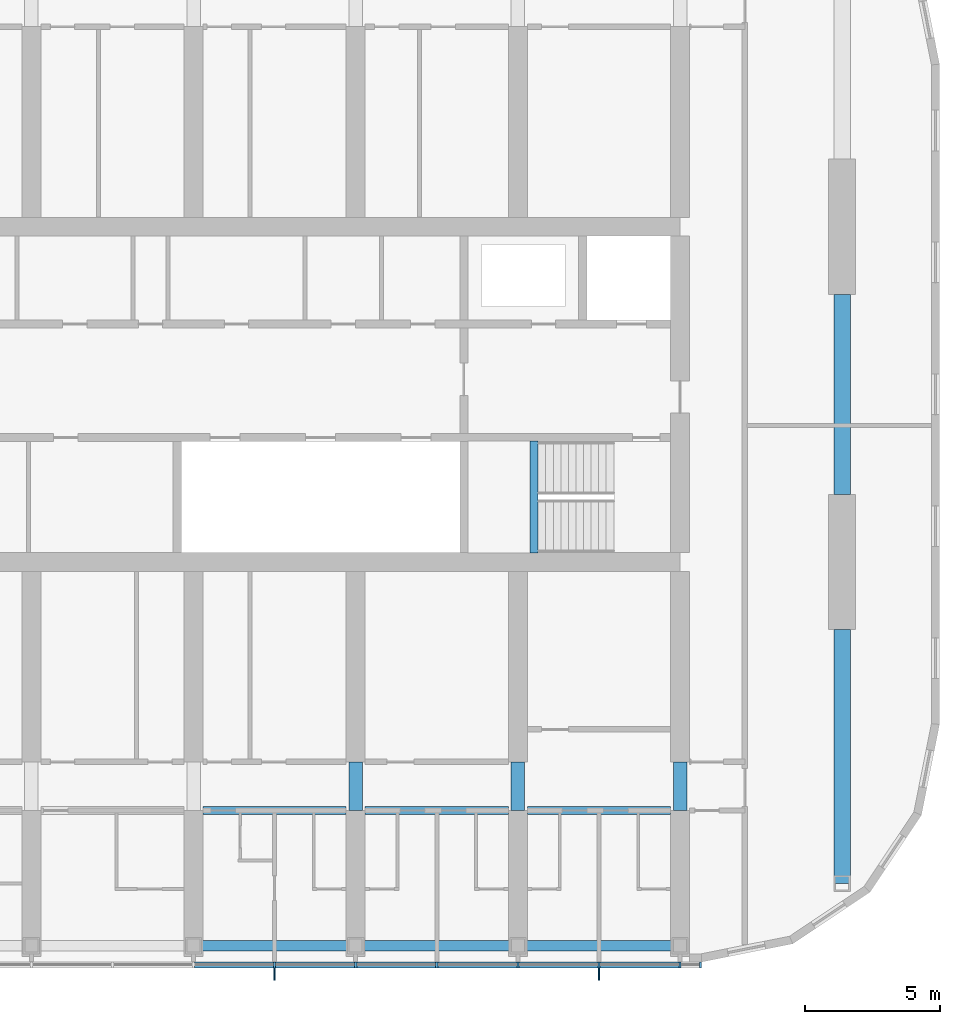
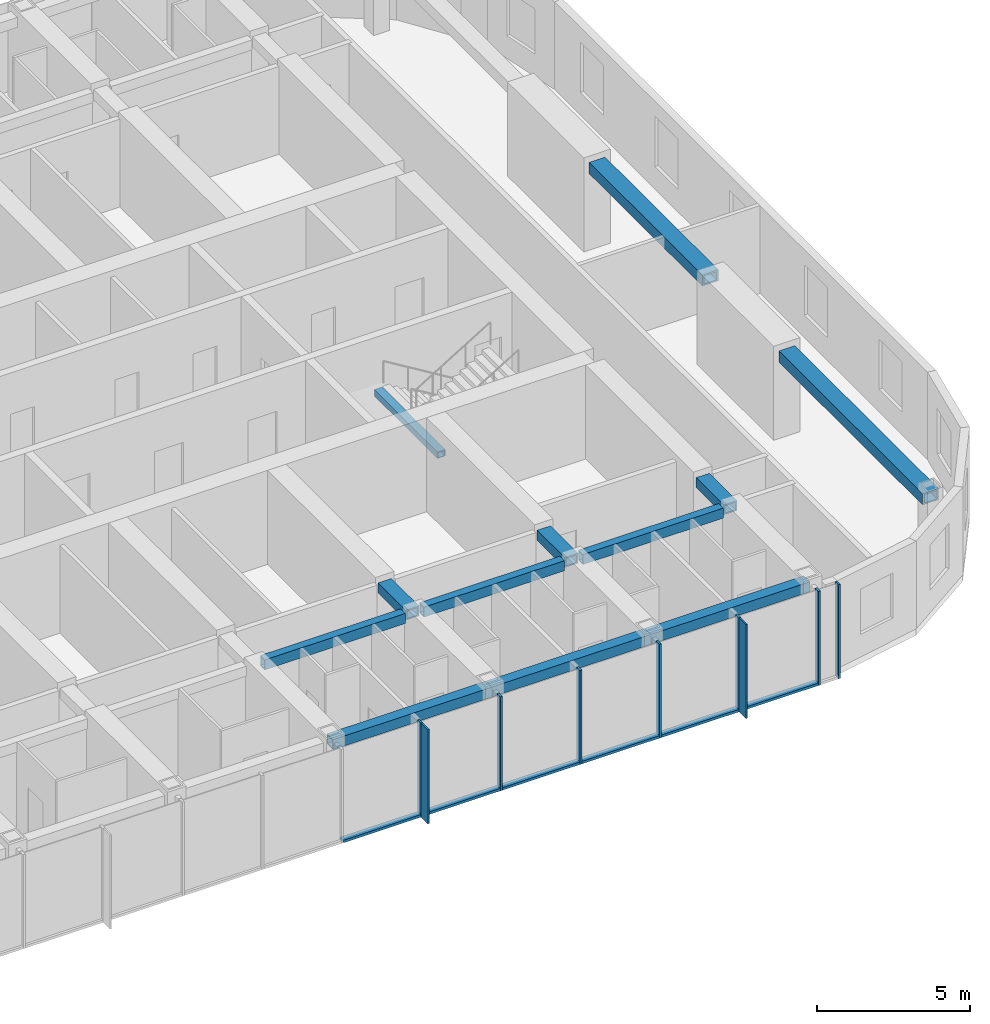
# One storey, part 3 of 24: 15 members, 12 beams, 1 element without a shape of its own.
"""IFC4 building model written with IfcOpenShell, lengths in metres."""

from ifc_helpers import new_model, si_unit, direction, frame, origin, origin_2d, place, context, subcontext, project, spatial, rectangle, hollow_rectangle, extrude, material, material_profile, profile_set, type_object, element, aggregate, save


model = new_model("IFC4")

# Units and contexts
model_context = context("Model", 3, precision=1e-05, world=origin(), true_north=direction((0.0, 1.0)))
body_context = subcontext(model_context, "Body", "Model", "MODEL_VIEW")
ifc_project = project(units=[si_unit("LENGTHUNIT", "METRE"), si_unit("AREAUNIT", "SQUARE_METRE"), si_unit("VOLUMEUNIT", "CUBIC_METRE"), si_unit("PLANEANGLEUNIT", "RADIAN"), si_unit("MASSUNIT", "GRAM", prefix="KILO")], contexts=[model_context])

# Site, building, storey
site_placement = place(None, origin())
site = spatial("IfcSite", under=ifc_project, at=site_placement, CompositionType="ELEMENT")
building_placement = place(site_placement, origin())
building = spatial("IfcBuilding", under=site, at=building_placement, Name="Orbita Commons", CompositionType="ELEMENT")
storey_placement = place(building_placement, frame((0.0, 0.0, 239.050048828125)))
storey = spatial("IfcBuildingStorey", under=building, at=storey_placement, Name="L59", CompositionType="ELEMENT", Elevation=239.050048828125)

# Curtain wall, members
ifc_material_1 = material(Name="Anodised aluminium frame, pale silver", Category="aluminium")
curtain_wall_type = type_object("IfcCurtainWallType", Name="Unitised curtain wall CW-U, full-height vision", PredefinedType="NOTDEFINED", material=ifc_material_1)
curtain_wall_placement = place(storey_placement, origin())
curtain_wall = element("IfcCurtainWall", 1, at=curtain_wall_placement, inside=storey, type_object=curtain_wall_type, Name="Curtain wall south L59", PredefinedType="NOTDEFINED")
ifc_material_2 = material(Name="Anodised aluminium, pale silver", Category="aluminium")
ifc_material_profile_1 = material_profile(ifc_material_2, rectangle(XDim=0.080078125, YDim=0.219970703125, at=origin_2d()), Name="AL 80x220")
ifc_profile_set_1 = profile_set([ifc_material_profile_1], Name="Anodised aluminium, pale silver")
member_type_1 = type_object("IfcMemberType", Name="Curtain wall mullion 80x220", PredefinedType="MULLION", material=ifc_profile_set_1)
member_1_placement = place(storey_placement, frame((51.0, 10.889892578125, -0.25), z_axis=(0.0, 0.0, 1.0), x_axis=(1.0, 0.0, 0.0)))
member_1 = element("IfcMember", 2, at=member_1_placement, type_object=member_type_1, Name="Mullion 13 CW-L59-S", PredefinedType="MULLION", context=body_context, shape_type="SweptSolid", body=[
    extrude(rectangle(XDim=0.080078125, YDim=0.219970703125, at=origin_2d()), origin(), (0.0, 0.0, 1.0), 3.75),
])
member_2_placement = place(storey_placement, frame((54.0, 10.889892578125, -0.25), z_axis=(0.0, 0.0, 1.0), x_axis=(1.0, 0.0, 0.0)))
member_2 = element("IfcMember", 3, at=member_2_placement, type_object=member_type_1, Name="Mullion 14 CW-L59-S", PredefinedType="MULLION", context=body_context, shape_type="SweptSolid", body=[
    extrude(rectangle(XDim=0.080078125, YDim=0.219970703125, at=origin_2d()), origin(), (0.0, 0.0, 1.0), 3.75),
])
member_3_placement = place(storey_placement, frame((57.0, 10.889892578125, -0.25), z_axis=(0.0, 0.0, 1.0), x_axis=(1.0, 0.0, 0.0)))
member_3 = element("IfcMember", 4, at=member_3_placement, type_object=member_type_1, Name="Mullion 15 CW-L59-S", PredefinedType="MULLION", context=body_context, shape_type="SweptSolid", body=[
    extrude(rectangle(XDim=0.080078125, YDim=0.219970703125, at=origin_2d()), origin(), (0.0, 0.0, 1.0), 3.75),
])
member_4_placement = place(storey_placement, frame((60.0, 10.889892578125, -0.25), z_axis=(0.0, 0.0, 1.0), x_axis=(1.0, 0.0, 0.0)))
member_4 = element("IfcMember", 5, at=member_4_placement, type_object=member_type_1, Name="Mullion 16 CW-L59-S", PredefinedType="MULLION", context=body_context, shape_type="SweptSolid", body=[
    extrude(rectangle(XDim=0.080078125, YDim=0.219970703125, at=origin_2d()), origin(), (0.0, 0.0, 1.0), 3.75),
])
member_5_placement = place(storey_placement, frame((63.0, 10.889892578125, -0.25), z_axis=(0.0, 0.0, 1.0), x_axis=(1.0, 0.0, 0.0)))
member_5 = element("IfcMember", 6, at=member_5_placement, type_object=member_type_1, Name="Mullion 17 CW-L59-S", PredefinedType="MULLION", context=body_context, shape_type="SweptSolid", body=[
    extrude(rectangle(XDim=0.080078125, YDim=0.219970703125, at=origin_2d()), origin(), (0.0, 0.0, 1.0), 3.75),
])
member_6_placement = place(storey_placement, frame((66.0, 10.889892578125, -0.25), z_axis=(0.0, 0.0, 1.0), x_axis=(1.0, 0.0, 0.0)))
member_6 = element("IfcMember", 7, at=member_6_placement, type_object=member_type_1, Name="Mullion 18 CW-L59-S", PredefinedType="MULLION", context=body_context, shape_type="SweptSolid", body=[
    extrude(rectangle(XDim=0.080078125, YDim=0.219970703125, at=origin_2d()), origin(), (0.0, 0.0, 1.0), 3.75),
])
member_7_placement = place(storey_placement, frame((66.760009765625, 10.889892578125, -0.25), z_axis=(0.0, 0.0, 1.0), x_axis=(1.0, 0.0, 0.0)))
member_7 = element("IfcMember", 8, at=member_7_placement, type_object=member_type_1, Name="Mullion 19 CW-L59-S", PredefinedType="MULLION", context=body_context, shape_type="SweptSolid", body=[
    extrude(rectangle(XDim=0.080078125, YDim=0.219970703125, at=origin_2d()), origin(), (0.0, 0.0, 1.0), 3.75),
])
ifc_material_3 = material(Name="Anodised aluminium, pale silver", Category="aluminium")
ifc_material_profile_2 = material_profile(ifc_material_3, rectangle(XDim=0.219970703125, YDim=0.10009765625, at=origin_2d()), Name="AL 220x100")
ifc_profile_set_2 = profile_set([ifc_material_profile_2], Name="Anodised aluminium, pale silver")
member_type_2 = type_object("IfcMemberType", Name="Curtain wall stack transom 220x100", PredefinedType="USERDEFINED", material=ifc_profile_set_2)
member_8_placement = place(storey_placement, frame((48.0400390625, 10.889892578125, -0.199951171875), z_axis=(1.0, 0.0, 0.0), x_axis=(0.0, 1.0, 0.0)))
member_8 = element("IfcMember", 9, at=member_8_placement, type_object=member_type_2, Name="Transom 12.1 CW-L59-S", ObjectType="TRANSOM", PredefinedType="USERDEFINED", context=body_context, shape_type="SweptSolid", body=[
    extrude(rectangle(XDim=0.219970703125, YDim=0.10009765625, at=origin_2d()), origin(), (0.0, 0.0, 1.0), 2.919921875),
])
member_9_placement = place(storey_placement, frame((51.0400390625, 10.889892578125, -0.199951171875), z_axis=(1.0, 0.0, 0.0), x_axis=(0.0, 1.0, 0.0)))
member_9 = element("IfcMember", 10, at=member_9_placement, type_object=member_type_2, Name="Transom 13.1 CW-L59-S", ObjectType="TRANSOM", PredefinedType="USERDEFINED", context=body_context, shape_type="SweptSolid", body=[
    extrude(rectangle(XDim=0.219970703125, YDim=0.10009765625, at=origin_2d()), origin(), (0.0, 0.0, 1.0), 2.919921875),
])
member_10_placement = place(storey_placement, frame((54.0400390625, 10.889892578125, -0.199951171875), z_axis=(1.0, 0.0, 0.0), x_axis=(0.0, 1.0, 0.0)))
member_10 = element("IfcMember", 11, at=member_10_placement, type_object=member_type_2, Name="Transom 14.1 CW-L59-S", ObjectType="TRANSOM", PredefinedType="USERDEFINED", context=body_context, shape_type="SweptSolid", body=[
    extrude(rectangle(XDim=0.219970703125, YDim=0.10009765625, at=origin_2d()), origin(), (0.0, 0.0, 1.0), 2.919921875),
])
member_11_placement = place(storey_placement, frame((57.0400390625, 10.889892578125, -0.199951171875), z_axis=(1.0, 0.0, 0.0), x_axis=(0.0, 1.0, 0.0)))
member_11 = element("IfcMember", 12, at=member_11_placement, type_object=member_type_2, Name="Transom 15.1 CW-L59-S", ObjectType="TRANSOM", PredefinedType="USERDEFINED", context=body_context, shape_type="SweptSolid", body=[
    extrude(rectangle(XDim=0.219970703125, YDim=0.10009765625, at=origin_2d()), origin(), (0.0, 0.0, 1.0), 2.919921875),
])
member_12_placement = place(storey_placement, frame((60.0400390625, 10.889892578125, -0.199951171875), z_axis=(1.0, 0.0, 0.0), x_axis=(0.0, 1.0, 0.0)))
member_12 = element("IfcMember", 13, at=member_12_placement, type_object=member_type_2, Name="Transom 16.1 CW-L59-S", ObjectType="TRANSOM", PredefinedType="USERDEFINED", context=body_context, shape_type="SweptSolid", body=[
    extrude(rectangle(XDim=0.219970703125, YDim=0.10009765625, at=origin_2d()), origin(), (0.0, 0.0, 1.0), 2.919921875),
])
member_13_placement = place(storey_placement, frame((63.0400390625, 10.889892578125, -0.199951171875), z_axis=(1.0, 0.0, 0.0), x_axis=(0.0, 1.0, 0.0)))
member_13 = element("IfcMember", 14, at=member_13_placement, type_object=member_type_2, Name="Transom 17.1 CW-L59-S", ObjectType="TRANSOM", PredefinedType="USERDEFINED", context=body_context, shape_type="SweptSolid", body=[
    extrude(rectangle(XDim=0.219970703125, YDim=0.10009765625, at=origin_2d()), origin(), (0.0, 0.0, 1.0), 2.919921875),
])

# Beams
ifc_material_4 = material(Name="Steel ASTM A572 Gr 50 welded plate", Category="steel")
ifc_material_profile_3 = material_profile(ifc_material_4, hollow_rectangle(XDim=0.300048828125, YDim=0.25, WallThickness=0.02490234375, at=origin_2d()), Name="BOX 250x300x25")
ifc_profile_set_3 = profile_set([ifc_material_profile_3], Name="Steel ASTM A572 Gr 50 welded plate")
beam_type_1 = type_object("IfcBeamType", Name="Stair landing beam steel BOX 250x300x25", PredefinedType="BEAM", material=ifc_profile_set_3)
beam_1_placement = place(storey_placement, frame((60.60009765625, 26.135009765625, 1.550048828125), z_axis=(0.0, 1.0, 0.0), x_axis=(-1.0, 0.0, 0.0)))
element("IfcBeam", 15, at=beam_1_placement, inside=storey, type_object=beam_type_1, Name="Stair S2 landing beam L59 1", PredefinedType="BEAM", context=body_context, shape_type="SweptSolid", body=[
    extrude(hollow_rectangle(XDim=0.300048828125, YDim=0.25, WallThickness=0.02490234375, at=origin_2d()), origin(), (0.0, 0.0, 1.0), 4.1298828125),
])
ifc_material_5 = material(Name="Steel ASTM A572 Gr 50 welded plate", Category="steel")
ifc_material_profile_4 = material_profile(ifc_material_5, hollow_rectangle(XDim=0.300048828125, YDim=0.39990234375, WallThickness=0.0400390625, at=origin_2d()), Name="BOX 400x300x40")
ifc_profile_set_4 = profile_set([ifc_material_profile_4], Name="Steel ASTM A572 Gr 50 welded plate")
beam_type_2 = type_object("IfcBeamType", Name="Steel corridor link BOX 400x300x40", PredefinedType="BEAM", material=ifc_profile_set_4)
for number, where, z_axis, x_axis, name in (
    (16, (48.35009765625, 16.60009765625, 3.300048828125), (1.0, 0.0, 0.0), (0.0, 1.0, 0.0), "Corridor beam SA 9-10 L59"),
    (17, (54.35009765625, 16.60009765625, 3.300048828125), (1.0, 0.0, 0.0), (0.0, 1.0, 0.0), "Corridor beam SA 10-11 L59"),
    (18, (60.35009765625, 16.60009765625, 3.300048828125), (1.0, 0.0, 0.0), (0.0, 1.0, 0.0), "Corridor beam SA 11-12 L59"),
):
    element("IfcBeam", number, at=place(storey_placement, frame(where, z_axis=z_axis, x_axis=x_axis)), inside=storey, type_object=beam_type_2, Name=name, PredefinedType="BEAM", context=body_context, shape_type="SweptSolid", body=[
        extrude(hollow_rectangle(XDim=0.300048828125, YDim=0.39990234375, WallThickness=0.0400390625, at=origin_2d()), origin(), (0.0, 0.0, 1.0), 5.2998046875),
    ])
ifc_material_6 = material(Name="Steel ASTM A572 Gr 50 welded plate", Category="steel")
ifc_material_profile_5 = material_profile(ifc_material_6, hollow_rectangle(XDim=0.5, YDim=0.39990234375, WallThickness=0.050048828125, at=origin_2d()), Name="BOX 400x500x50")
ifc_profile_set_5 = profile_set([ifc_material_profile_5], Name="Steel ASTM A572 Gr 50 welded plate")
beam_type_3 = type_object("IfcBeamType", Name="Steel coupling link BOX 400x500x50", PredefinedType="LINTEL", material=ifc_profile_set_5)
for number, where, z_axis, x_axis, name in (
    (19, (54.0, 16.60009765625, 3.300048828125), (0.0, 1.0, 0.0), (-1.0, 0.0, 0.0), "Coupling beam 10 south L59"),
    (20, (60.0, 16.60009765625, 3.300048828125), (0.0, 1.0, 0.0), (-1.0, 0.0, 0.0), "Coupling beam 11 south L59"),
    (21, (66.0, 16.60009765625, 3.300048828125), (0.0, 1.0, 0.0), (-1.0, 0.0, 0.0), "Coupling beam 12 south L59"),
):
    element("IfcBeam", number, at=place(storey_placement, frame(where, z_axis=z_axis, x_axis=x_axis)), inside=storey, type_object=beam_type_3, Name=name, PredefinedType="LINTEL", context=body_context, shape_type="SweptSolid", body=[
        extrude(hollow_rectangle(XDim=0.5, YDim=0.39990234375, WallThickness=0.050048828125, at=origin_2d()), origin(), (0.0, 0.0, 1.0), 1.7998046875),
    ])
ifc_material_7 = material(Name="Steel ASTM A572 Gr 50 welded plate", Category="steel")
ifc_material_profile_6 = material_profile(ifc_material_7, hollow_rectangle(XDim=0.60009765625, YDim=0.449951171875, WallThickness=0.06005859375, at=origin_2d()), Name="BOX 450x600x60")
ifc_profile_set_6 = profile_set([ifc_material_profile_6], Name="Steel ASTM A572 Gr 50 welded plate")
beam_type_4 = type_object("IfcBeamType", Name="Steel end frame link BOX 450x600x60", PredefinedType="BEAM", material=ifc_profile_set_6)
beam_2_placement = place(storey_placement, frame((72.0, 13.89990234375, 3.27490234375), z_axis=(0.0, 1.0, 0.0), x_axis=(-1.0, 0.0, 0.0)))
element("IfcBeam", 22, at=beam_2_placement, inside=storey, type_object=beam_type_4, Name="End frame beam 13 B-C L59", PredefinedType="BEAM", context=body_context, shape_type="SweptSolid", body=[
    extrude(hollow_rectangle(XDim=0.60009765625, YDim=0.449951171875, WallThickness=0.06005859375, at=origin_2d()), origin(), (0.0, 0.0, 1.0), 9.400146484375),
])
beam_3_placement = place(storey_placement, frame((72.0, 28.300048828125, 3.27490234375), z_axis=(0.0, 1.0, 0.0), x_axis=(-1.0, 0.0, 0.0)))
element("IfcBeam", 23, at=beam_3_placement, inside=storey, type_object=beam_type_4, Name="End frame beam 13 C-D L59", PredefinedType="BEAM", context=body_context, shape_type="SweptSolid", body=[
    extrude(hollow_rectangle(XDim=0.60009765625, YDim=0.449951171875, WallThickness=0.06005859375, at=origin_2d()), origin(), (0.0, 0.0, 1.0), 7.39990234375),
])
ifc_material_8 = material(Name="Steel ASTM A572 Gr 50 welded plate", Category="steel")
ifc_material_profile_7 = material_profile(ifc_material_8, hollow_rectangle(XDim=0.39990234375, YDim=0.39990234375, WallThickness=0.0400390625, at=origin_2d()), Name="BOX 400x400x40")
ifc_profile_set_7 = profile_set([ifc_material_profile_7], Name="Steel ASTM A572 Gr 50 welded plate")
beam_type_5 = type_object("IfcBeamType", Name="Steel spandrel BOX 400x400x40", PredefinedType="SPANDREL", material=ifc_profile_set_7)
for number, where, z_axis, x_axis, name in (
    (24, (48.0, 11.60009765625, 3.300048828125), (1.0, 0.0, 0.0), (0.0, 1.0, 0.0), "Spandrel beam B 9-10 L59"),
    (25, (54.0, 11.60009765625, 3.300048828125), (1.0, 0.0, 0.0), (0.0, 1.0, 0.0), "Spandrel beam B 10-11 L59"),
    (26, (60.0, 11.60009765625, 3.300048828125), (1.0, 0.0, 0.0), (0.0, 1.0, 0.0), "Spandrel beam B 11-12 L59"),
):
    element("IfcBeam", number, at=place(storey_placement, frame(where, z_axis=z_axis, x_axis=x_axis)), inside=storey, type_object=beam_type_5, Name=name, PredefinedType="SPANDREL", context=body_context, shape_type="SweptSolid", body=[
        extrude(hollow_rectangle(XDim=0.39990234375, YDim=0.39990234375, WallThickness=0.0400390625, at=origin_2d()), origin(), (0.0, 0.0, 1.0), 6.0),
    ])

# Member
ifc_material_9 = material(Name="Anodised aluminium, pale silver", Category="aluminium")
ifc_material_profile_8 = material_profile(ifc_material_9, rectangle(XDim=0.06005859375, YDim=0.449951171875, at=origin_2d()), Name="FIN 60x450")
ifc_profile_set_8 = profile_set([ifc_material_profile_8], Name="Anodised aluminium, pale silver")
member_type_3 = type_object("IfcMemberType", Name="Vertical fin 60x450 pale aluminium", PredefinedType="USERDEFINED", material=ifc_profile_set_8)
member_14_placement = place(storey_placement, frame((51.0, 10.554931640625, -0.25), z_axis=(0.0, 0.0, 1.0), x_axis=(1.0, 0.0, 0.0)))
member_14 = element("IfcMember", 27, at=member_14_placement, type_object=member_type_3, Name="Fin 13 CW-L59-S", ObjectType="FIN", PredefinedType="USERDEFINED", context=body_context, shape_type="SweptSolid", body=[
    extrude(rectangle(XDim=0.06005859375, YDim=0.449951171875, at=origin_2d()), origin(), (0.0, 0.0, 1.0), 3.75),
])

member_15_placement = place(storey_placement, frame((63.0, 10.554931640625, -0.25), z_axis=(0.0, 0.0, 1.0), x_axis=(1.0, 0.0, 0.0)))
member_15 = element("IfcMember", 28, at=member_15_placement, type_object=member_type_3, Name="Fin 17 CW-L59-S", ObjectType="FIN", PredefinedType="USERDEFINED", context=body_context, shape_type="SweptSolid", body=[
    extrude(rectangle(XDim=0.06005859375, YDim=0.449951171875, at=origin_2d()), origin(), (0.0, 0.0, 1.0), 3.75),
])

aggregate(curtain_wall, [member_1, member_14, member_2, member_3, member_4, member_5, member_15, member_6, member_7, member_8, member_9, member_10, member_11, member_12, member_13])

save(model, "model.ifc")
